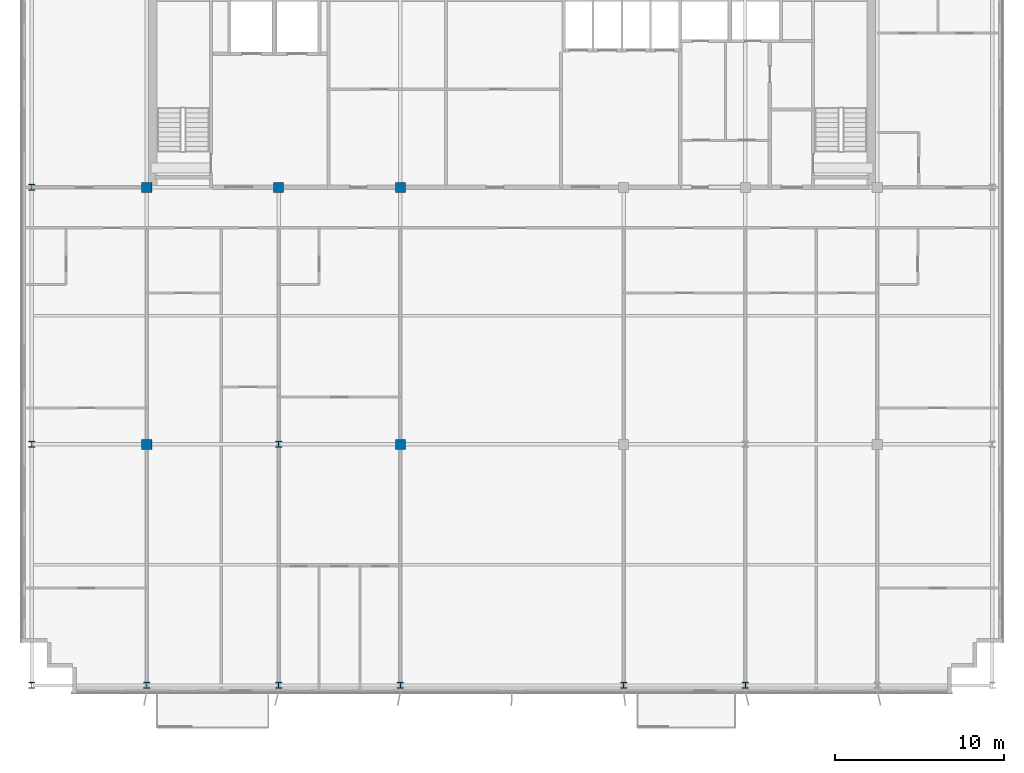
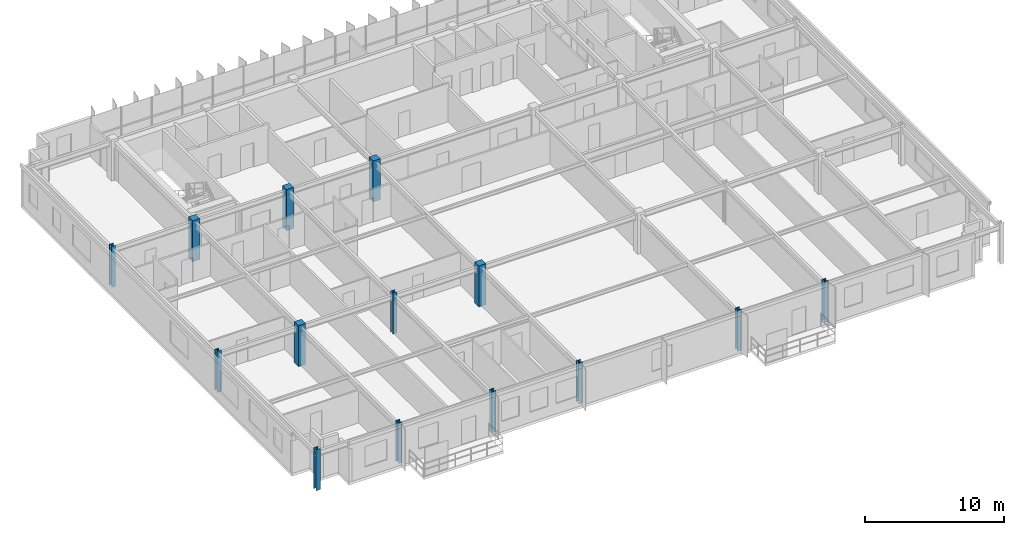
# One storey, part 1 of 22: 14 columns.
"""IFC4 building model written with IfcOpenShell, lengths in metres."""

import ifcopenshell
import ifcopenshell.guid

model = None  # the IFC model being written
_history = None  # IfcOwnerHistory: only IFC2X3 demands one
_inside = {}  # id of a spatial element -> (the spatial element, [elements in it])
_under = {}  # id of a project, library or spatial element -> (it, [spatial elements below it])
_declared = {}  # id of a project -> (the project, [libraries it declares])
_typed = {}  # id of a type object -> (the type object, [elements of that type])
_made_of = {}  # id of a material, layer set ... -> (it, [elements and type objects made of it])


def new_model(schema):
    """Start an empty IFC model of exactly this schema.

    Asked for "IFC4X3", IfcOpenShell would pick the latest addendum, in which some entities
    have other attributes; the version numbers below select the first issue.
    IFC2X3 requires an IfcOwnerHistory on every rooted entity: one is made here for all.
    """
    global model, _history
    if schema == "IFC4X3":
        model = ifcopenshell.file(schema_version=(4, 3, 0, 0))
    else:
        model = ifcopenshell.file(schema=schema)
    _inside.clear()
    _under.clear()
    _declared.clear()
    _typed.clear()
    _made_of.clear()
    _history = None
    if model.schema == "IFC2X3":
        org = make("IfcOrganization", Name="unknown")
        user = make(
            "IfcPersonAndOrganization",
            ThePerson=make("IfcPerson", FamilyName="unknown"),
            TheOrganization=org,
        )
        app = make(
            "IfcApplication",
            ApplicationDeveloper=org,
            Version="unknown",
            ApplicationFullName="unknown",
            ApplicationIdentifier="unknown",
        )
        _history = make(
            "IfcOwnerHistory",
            OwningUser=user,
            OwningApplication=app,
            ChangeAction="ADDED",
            CreationDate=0,
        )
    return model


def make(cls, **values):
    """One entity of the class cls with the attributes given. An attribute that is None is left unset."""
    return model.create_entity(
        cls, **{name: value for name, value in values.items() if value is not None}
    )


def rooted(cls, **values):
    """An entity with a GlobalId (a new one), such as an element, a storey or a relation."""
    return make(cls, GlobalId=ifcopenshell.guid.new(), OwnerHistory=_history, **values)


def si_unit(unit_type, name, prefix=None):
    """IfcSIUnit, for example si_unit("LENGTHUNIT", "METRE", prefix="MILLI")."""
    return make("IfcSIUnit", UnitType=unit_type, Prefix=prefix, Name=name)


def assignment(units):
    """IfcUnitAssignment: the units of a project."""
    return None if units is None else make("IfcUnitAssignment", Units=units)


def point(xyz):
    """IfcCartesianPoint."""
    return None if xyz is None else make("IfcCartesianPoint", Coordinates=xyz)


def direction(xyz):
    """IfcDirection."""
    return None if xyz is None else make("IfcDirection", DirectionRatios=xyz)


def frame(location, z_axis=None, x_axis=None):
    """IfcAxis2Placement3D, a coordinate frame: its origin and axes. An axis left out is left unset."""
    return make(
        "IfcAxis2Placement3D",
        Location=point(location),
        Axis=direction(z_axis),
        RefDirection=direction(x_axis),
    )


def frame_2d(location, x_axis=None):
    """IfcAxis2Placement2D, a coordinate frame in the plane: its origin and x axis."""
    return make(
        "IfcAxis2Placement2D", Location=point(location), RefDirection=direction(x_axis)
    )


def origin():
    """The frame at (0, 0, 0) with its axes left unset."""
    return frame((0.0, 0.0, 0.0))


def origin_2d():
    """The frame at (0, 0) in the plane with its x axis left unset."""
    return frame_2d((0.0, 0.0))


def place(relative_to, where):
    """IfcLocalPlacement: puts the frame where relative to a parent placement (None: the world)."""
    return make(
        "IfcLocalPlacement", PlacementRelTo=relative_to, RelativePlacement=where
    )


def context(
    kind, dimensions, precision=None, world=None, true_north=None, identifier=None
):
    """IfcGeometricRepresentationContext, for example the 3D "Model" context."""
    return make(
        "IfcGeometricRepresentationContext",
        ContextIdentifier=identifier,
        ContextType=kind,
        CoordinateSpaceDimension=dimensions,
        Precision=precision,
        WorldCoordinateSystem=world,
        TrueNorth=true_north,
    )


def subcontext(parent, identifier, kind, view, scale=None):
    """IfcGeometricRepresentationSubContext, for example "Body" below "Model"."""
    return make(
        "IfcGeometricRepresentationSubContext",
        ContextIdentifier=identifier,
        ContextType=kind,
        ParentContext=parent,
        TargetScale=scale,
        TargetView=view,
    )


def project(units=None, contexts=None):
    """IfcProject with its units and contexts."""
    return rooted(
        "IfcProject",
        Name="project",
        RepresentationContexts=contexts,
        UnitsInContext=assignment(units),
    )


def spatial(cls, under=None, at=None, **own):
    """A site, building, storey or space (cls), placed at a placement, below another one or the project."""
    s = rooted(cls, ObjectPlacement=at, **own)
    if under is not None:
        _under.setdefault(under.id(), (under, []))[1].append(s)
    return s


def profile(cls, at=None, kind="AREA", **sizes):
    """A parametric profile (cls). Its sizes go by their IFC names, for example OverallWidth=200.0."""
    return make(cls, ProfileType=kind, Position=at, **sizes)


def rectangle(**sizes):
    """IfcRectangleProfileDef."""
    return profile("IfcRectangleProfileDef", **sizes)


def i_section(**sizes):
    """IfcIShapeProfileDef."""
    return profile("IfcIShapeProfileDef", **sizes)


def extrude(swept, where, along, depth):
    """IfcExtrudedAreaSolid: the profile swept, set in the frame where, extruded along a direction by depth."""
    return make(
        "IfcExtrudedAreaSolid",
        SweptArea=swept,
        Position=where,
        ExtrudedDirection=direction(along),
        Depth=depth,
    )


def shape(context_of_items, identifier, shape_type, items):
    """IfcShapeRepresentation: the items that make up one representation, for example the "Body"."""
    return make(
        "IfcShapeRepresentation",
        ContextOfItems=context_of_items,
        RepresentationIdentifier=identifier,
        RepresentationType=shape_type,
        Items=items,
    )


def source(mapping_origin, context_of_items, identifier, shape_type, items):
    """IfcRepresentationMap: a shape defined once, which mapped items show again and again."""
    return make(
        "IfcRepresentationMap",
        MappingOrigin=mapping_origin,
        MappedRepresentation=shape(context_of_items, identifier, shape_type, items),
    )


def transform(
    local_origin,
    x_axis=None,
    y_axis=None,
    z_axis=None,
    scale=None,
    scale2=None,
    scale3=None,
    uniform=True,
):
    """IfcCartesianTransformationOperator3D, or its non-uniform kind. x_axis, y_axis, z_axis: its Axis1, 2, 3."""
    if uniform:
        return make(
            "IfcCartesianTransformationOperator3D",
            Axis1=direction(x_axis),
            Axis2=direction(y_axis),
            LocalOrigin=point(local_origin),
            Scale=scale,
            Axis3=direction(z_axis),
        )
    return make(
        "IfcCartesianTransformationOperator3DnonUniform",
        Axis1=direction(x_axis),
        Axis2=direction(y_axis),
        LocalOrigin=point(local_origin),
        Scale=scale,
        Axis3=direction(z_axis),
        Scale2=scale2,
        Scale3=scale3,
    )


def mapped(mapping_source, mapping_target):
    """IfcMappedItem: shows the shape of a source again, moved by a transform."""
    return make(
        "IfcMappedItem", MappingSource=mapping_source, MappingTarget=mapping_target
    )


def material(Name=None, Category=None):
    """IfcMaterial."""
    return make("IfcMaterial", Name=Name, Category=Category)


def material_profile(
    of_material, cross_section, Name=None, Category=None, Priority=None
):
    """IfcMaterialProfile: a cross section and its material."""
    return make(
        "IfcMaterialProfile",
        Name=Name,
        Material=of_material,
        Profile=cross_section,
        Priority=Priority,
        Category=Category,
    )


def profile_set(profiles, Name=None, composite=None):
    """IfcMaterialProfileSet."""
    return make(
        "IfcMaterialProfileSet",
        Name=Name,
        MaterialProfiles=profiles,
        CompositeProfile=composite,
    )


def made_of(thing, what):
    """Note that an element or type object is made of a material, layer set ...; save() writes the relation."""
    if what is not None:
        _made_of.setdefault(what.id(), (what, []))[1].append(thing)
    return thing


def type_object(cls, material=None, **own):
    """A type object (cls), such as IfcWallType, which elements share."""
    return made_of(rooted(cls, **own), material)


def element(
    cls,
    number,
    at=None,
    inside=None,
    cuts=None,
    type_object=None,
    material=None,
    context=None,
    identifier="Body",
    shape_type=None,
    held_by="IfcProductDefinitionShape",
    body=None,
    shapes=None,
    **own,
):
    """One element of the class cls, such as IfcWall. Its Tag is "e" and its number.

    at: its placement. inside: the storey or other place that contains it. cuts: it is an
    opening in that element (IfcRelVoidsElement). A single representation is given by context,
    identifier, shape_type and body (its items); several are given by shapes. held_by: the class
    of the entity that holds the representations. save() writes the other relations.
    """
    e = rooted(cls, Tag="e%d" % number, ObjectPlacement=at, **own)
    if body is not None:
        shapes = [shape(context, identifier, shape_type, body)]
    if shapes is not None:
        e.Representation = make(held_by, Representations=shapes)
    if inside is not None:
        _inside.setdefault(inside.id(), (inside, []))[1].append(e)
    if cuts is not None:
        rooted(
            "IfcRelVoidsElement", RelatingBuildingElement=cuts, RelatedOpeningElement=e
        )
    if type_object is not None:
        _typed.setdefault(type_object.id(), (type_object, []))[1].append(e)
    return made_of(e, material)


def aggregate(whole, parts):
    """IfcRelAggregates: a whole, such as a stair, and the parts it consists of."""
    return rooted("IfcRelAggregates", RelatingObject=whole, RelatedObjects=parts)


def save(model, path):
    """Write the relations noted so far, then the file.

    IfcRelAggregates (storeys below a building ...), IfcRelContainedInSpatialStructure (elements
    in a storey), IfcRelDefinesByType, IfcRelAssociatesMaterial and IfcRelDeclares: one each for
    every whole, place, type object, material and project.
    """
    for whole, parts in _under.values():
        aggregate(whole, parts)
    for where, things in _inside.values():
        rooted(
            "IfcRelContainedInSpatialStructure",
            RelatedElements=things,
            RelatingStructure=where,
        )
    for kind, things in _typed.values():
        rooted("IfcRelDefinesByType", RelatedObjects=things, RelatingType=kind)
    for what, things in _made_of.values():
        rooted("IfcRelAssociatesMaterial", RelatedObjects=things, RelatingMaterial=what)
    for by, libraries in _declared.values():
        rooted("IfcRelDeclares", RelatingContext=by, RelatedDefinitions=libraries)
    model.write(path)


model = new_model("IFC4")

# Units and contexts
model_context = context("Model", 3, precision=1e-05, world=origin(), true_north=direction((0.0, 1.0)))
body_context = subcontext(model_context, "Body", "Model", "MODEL_VIEW")
ifc_project = project(units=[si_unit("LENGTHUNIT", "METRE"), si_unit("AREAUNIT", "SQUARE_METRE"), si_unit("VOLUMEUNIT", "CUBIC_METRE"), si_unit("PLANEANGLEUNIT", "RADIAN"), si_unit("MASSUNIT", "GRAM", prefix="KILO")], contexts=[model_context])

# Site, building, storey
site_placement = place(None, origin())
site = spatial("IfcSite", under=ifc_project, at=site_placement, CompositionType="ELEMENT")
building_placement = place(site_placement, origin())
building = spatial("IfcBuilding", under=site, at=building_placement, Name="Trelvane Seafront Commons", CompositionType="ELEMENT")
storey_placement = place(building_placement, frame((0.0, 0.0, 270.300048828125)))
storey = spatial("IfcBuildingStorey", under=building, at=storey_placement, Name="L70", CompositionType="ELEMENT", Elevation=270.300048828125)

# Columns
ifc_material_1 = material(Name="Steel SM355 (S355)", Category="steel")
ifc_material_profile_1 = material_profile(ifc_material_1, i_section(OverallWidth=0.35009765625, OverallDepth=0.35009765625, WebThickness=0.01806640625, FlangeThickness=0.028076171875, at=origin_2d()), Name="HD-350x350x18x28")
ifc_profile_set_1 = profile_set([ifc_material_profile_1], Name="Steel SM355 (S355)")
column_type_1 = type_object("IfcColumnType", Name="STR-COL-HD350", PredefinedType="COLUMN", material=ifc_profile_set_1)
shared_shape_1 = source(origin(), body_context, "Body", "SweptSolid", [
    extrude(i_section(OverallWidth=0.35009765625, OverallDepth=0.35009765625, WebThickness=0.01806640625, FlangeThickness=0.028076171875, at=origin_2d()), origin(), (0.0, 0.0, 1.0), 3.599853515625),
])
for number, where, z_axis, x_axis, name in (
    (1, (8.800048828125, 3.949951171875, 0.0), (0.0, 0.0, 1.0), (1.0, 0.0, 0.0), "L70 Column TC-S8.8"),
    (2, (8.800048828125, 18.199951171875, 0.0), (0.0, 0.0, 1.0), (1.0, 0.0, 0.0), "L70 Column TC-M8.8"),
    (3, (8.800048828125, 33.39990234375, 0.0), (0.0, 0.0, 1.0), (1.0, 0.0, 0.0), "L70 Column TC-CS8.8"),
    (4, (15.60009765625, 3.949951171875, 0.0), (0.0, 0.0, 1.0), (1.0, 0.0, 0.0), "L70 Column TC-S15.6"),
    (5, (23.39990234375, 3.949951171875, 0.0), (0.0, 0.0, 1.0), (1.0, 0.0, 0.0), "L70 Column TC-S23.4"),
    (6, (23.39990234375, 18.199951171875, 0.0), (0.0, 0.0, 1.0), (1.0, 0.0, 0.0), "L70 Column TC-M23.4"),
    (7, (30.60009765625, 3.949951171875, 0.0), (0.0, 0.0, 1.0), (1.0, 0.0, 0.0), "L70 Column TC-S30.6"),
    (8, (43.800048828125, 3.949951171875, 0.0), (0.0, 0.0, 1.0), (1.0, 0.0, 0.0), "L70 Column TC-S43.8"),
    (9, (51.0, 3.949951171875, 0.0), (0.0, 0.0, 1.0), (1.0, 0.0, 0.0), "L70 Column TC-S51.0"),
):
    element("IfcColumn", number, at=place(storey_placement, frame(where, z_axis=z_axis, x_axis=x_axis)), inside=storey, type_object=column_type_1, Name=name, PredefinedType="COLUMN", context=body_context, shape_type="MappedRepresentation", body=[
        mapped(shared_shape_1, transform((0.0, 0.0, 0.0), x_axis=(1.0, 0.0, 0.0), y_axis=(0.0, 1.0, 0.0), z_axis=(0.0, 0.0, 1.0), scale=1.0)),
    ])
ifc_material_2 = material(Name="Concrete C50/60", Category="concrete")
ifc_material_profile_2 = material_profile(ifc_material_2, rectangle(XDim=0.60009765625, YDim=0.60009765625, at=origin_2d()), Name="RC-600x600")
ifc_profile_set_2 = profile_set([ifc_material_profile_2], Name="Concrete C50/60")
column_type_2 = type_object("IfcColumnType", Name="STR-COL-RC600", PredefinedType="COLUMN", material=ifc_profile_set_2)
shared_shape_2 = source(origin(), body_context, "Body", "SweptSolid", [
    extrude(rectangle(XDim=0.60009765625, YDim=0.60009765625, at=origin_2d()), origin(), (0.0, 0.0, 1.0), 3.599853515625),
])
for number, where, z_axis, x_axis, name in (
    (10, (15.60009765625, 18.199951171875, 0.0), (0.0, 0.0, 1.0), (1.0, 0.0, 0.0), "L70 Column TC-M15.6"),
    (11, (15.60009765625, 33.39990234375, 0.0), (0.0, 0.0, 1.0), (1.0, 0.0, 0.0), "L70 Column TC-CS15.6"),
    (12, (23.39990234375, 33.39990234375, 0.0), (0.0, 0.0, 1.0), (1.0, 0.0, 0.0), "L70 Column TC-CS23.4"),
    (13, (30.60009765625, 18.199951171875, 0.0), (0.0, 0.0, 1.0), (1.0, 0.0, 0.0), "L70 Column TC-M30.6"),
    (14, (30.60009765625, 33.39990234375, 0.0), (0.0, 0.0, 1.0), (1.0, 0.0, 0.0), "L70 Column TC-CS30.6"),
):
    element("IfcColumn", number, at=place(storey_placement, frame(where, z_axis=z_axis, x_axis=x_axis)), inside=storey, type_object=column_type_2, Name=name, PredefinedType="COLUMN", context=body_context, shape_type="MappedRepresentation", body=[
        mapped(shared_shape_2, transform((0.0, 0.0, 0.0), x_axis=(1.0, 0.0, 0.0), y_axis=(0.0, 1.0, 0.0), z_axis=(0.0, 0.0, 1.0), scale=1.0)),
    ])

save(model, "model.ifc")
